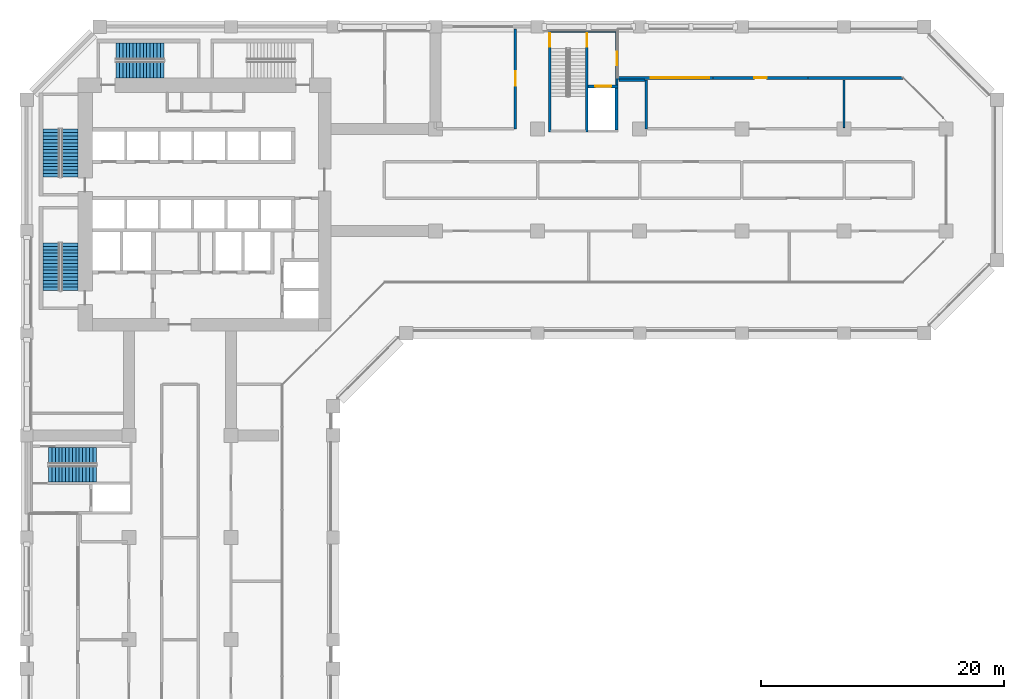
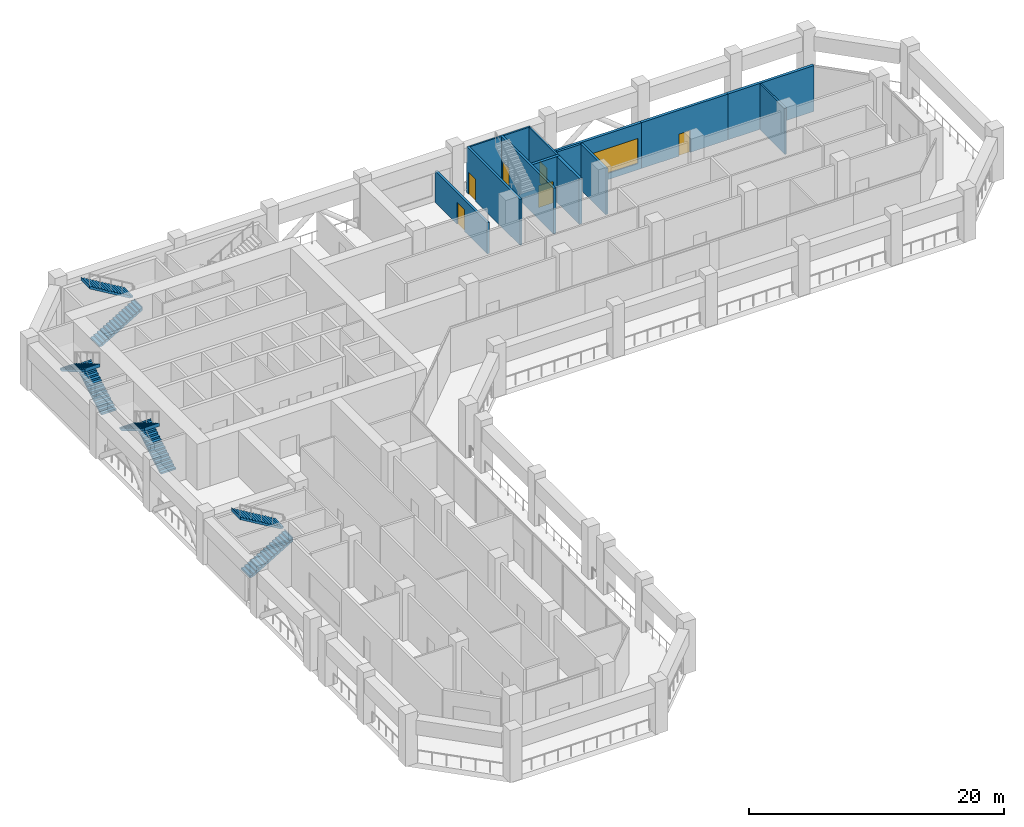
# One storey, part 10 of 19: 14 walls, 8 stair flights, 6 doors, 1 window, 7 openings, 4 elements without a shape of their own.
"""IFC4 building model written with IfcOpenShell, lengths in metres."""

from ifc_helpers import new_model, si_unit, direction, frame, frame_2d, origin, place, context, subcontext, project, spatial, polyline, rectangle, outline, extrude, material, layer, layer_set, type_object, element, fill, aggregate, save


model = new_model("IFC4")

# Units and contexts
model_context = context("Model", 3, precision=1e-05, world=origin(), true_north=direction((0.0, 1.0)))
body_context = subcontext(model_context, "Body", "Model", "MODEL_VIEW")
ifc_project = project(units=[si_unit("LENGTHUNIT", "METRE"), si_unit("AREAUNIT", "SQUARE_METRE"), si_unit("VOLUMEUNIT", "CUBIC_METRE"), si_unit("PLANEANGLEUNIT", "RADIAN"), si_unit("MASSUNIT", "GRAM", prefix="KILO")], contexts=[model_context])

# Site, building, storey
site_placement = place(None, origin())
site = spatial("IfcSite", under=ifc_project, at=site_placement, CompositionType="ELEMENT")
building_placement = place(site_placement, origin())
building = spatial("IfcBuilding", under=site, at=building_placement, Name="Kawkab Arch Medical Tower", CompositionType="ELEMENT")
storey_placement = place(building_placement, frame((0.0, 0.0, 93.800048828125)))
storey = spatial("IfcBuildingStorey", under=building, at=storey_placement, Name="L21", CompositionType="ELEMENT", Elevation=93.800048828125)

# Wall, opening, door
ifc_material_1 = material(Name="Gypsum board on steel studs", Category="steel")
ifc_layer_1 = layer(ifc_material_1, 0.14990234375)
ifc_layer_set_1 = layer_set([ifc_layer_1], Name="Gypsum board on steel studs")
wall_type_1 = type_object("IfcWallType", Name="Core room partition 150", PredefinedType="PARTITIONING", material=ifc_layer_set_1)
wall_1_placement = place(storey_placement, frame((48.52490234375, -4.77490234375, 0.0), z_axis=(0.0, 0.0, 1.0), x_axis=(0.0, 1.0, 0.0)))
wall_1 = element("IfcWall", 1, at=wall_1_placement, inside=storey, type_object=wall_type_1, Name="L21 core room partition", PredefinedType="PARTITIONING", context=body_context, shape_type="SweptSolid", body=[
    extrude(rectangle(XDim=4.324951171875, YDim=0.14990234375, at=frame_2d((2.16259765625, 0.0))), origin(), (0.0, 0.0, 1.0), 4.39990234375),
])
opening_1_placement = place(wall_1_placement, frame((1.625, 0.0, 0.0)))
opening_1 = element("IfcOpeningElement", 2, at=opening_1_placement, cuts=wall_1, Name="Opening FD", PredefinedType="OPENING", context=body_context, shape_type="SweptSolid", body=[
    extrude(rectangle(XDim=1.10009765625, YDim=2.10009765625, at=frame_2d((0.550048828125, 1.050048828125))), frame((0.0, 0.0849609375, 0.0), z_axis=(0.0, -1.0, 0.0), x_axis=(1.0, 0.0, 0.0)), (0.0, 0.0, 1.0), 0.169921875),
])
ifc_material_2 = material(Name="Hollow metal fire door leaf")
door_type_1 = type_object("IfcDoorType", Name="Firefighting lobby door 1100", OperationType="SINGLE_SWING_LEFT", PredefinedType="DOOR", material=ifc_material_2)
door_1_placement = place(opening_1_placement, origin())
door_1 = element("IfcDoor", 3, at=door_1_placement, inside=storey, type_object=door_type_1, Name="L21 Service lift lobby door SV1", OperationType="SINGLE_SWING_LEFT", OverallHeight=2.10009765625, OverallWidth=1.10009765625, PredefinedType="DOOR", context=body_context, shape_type="SweptSolid", body=[
    extrude(rectangle(XDim=1.10009765625, YDim=2.10009765625, at=frame_2d((0.550048828125, 1.050048828125))), frame((0.0, 0.02490234375, 0.0), z_axis=(0.0, -1.0, 0.0), x_axis=(1.0, 0.0, 0.0)), (0.0, 0.0, 1.0), 0.050048828125),
])
fill(opening_1, door_1)

ifc_material_3 = material(Name="Concrete C60/75", Category="concrete")
ifc_layer_2 = layer(ifc_material_3, 0.25)
ifc_layer_set_2 = layer_set([ifc_layer_2], Name="Concrete C60/75")
wall_type_2 = type_object("IfcWallType", Name="Core shear wall 250 C60/75", PredefinedType="SHEAR", material=ifc_layer_set_2)
wall_2_placement = place(storey_placement, frame((46.14990234375, -4.89990234375, 0.0), z_axis=(0.0, 0.0, 1.0), x_axis=(1.0, 0.0, 0.0)))
wall_2 = element("IfcWall", 4, at=wall_2_placement, inside=storey, type_object=wall_type_2, Name="L21 core shear wall", PredefinedType="SHEAR", context=body_context, shape_type="SweptSolid", body=[
    extrude(rectangle(XDim=2.4501953125, YDim=0.25, at=frame_2d((1.22509765625, 0.0))), origin(), (0.0, 0.0, 1.0), 4.39990234375),
])
opening_2_placement = place(wall_2_placement, frame((0.60009765625, 0.0, 0.0)))
opening_2 = element("IfcOpeningElement", 5, at=opening_2_placement, cuts=wall_2, Name="Opening LD2", PredefinedType="OPENING", context=body_context, shape_type="SweptSolid", body=[
    extrude(rectangle(XDim=1.300048828125, YDim=2.10009765625, at=frame_2d((0.64990234375, 1.050048828125))), frame((0.0, 0.135009765625, 0.0), z_axis=(0.0, -1.0, 0.0), x_axis=(1.0, 0.0, 0.0)), (0.0, 0.0, 1.0), 0.27001953125),
])
ifc_material_4 = material(Name="Stainless steel lift door leaf", Category="steel")
door_type_2 = type_object("IfcDoorType", Name="Lift landing door 1300", OperationType="DOUBLE_DOOR_SLIDING", PredefinedType="DOOR", material=ifc_material_4)
door_2_placement = place(opening_2_placement, origin())
door_2 = element("IfcDoor", 6, at=door_2_placement, inside=storey, type_object=door_type_2, Name="L21 Lift landing door SV1", OperationType="DOUBLE_DOOR_SLIDING", OverallHeight=2.10009765625, OverallWidth=1.300048828125, PredefinedType="DOOR", context=body_context, shape_type="SweptSolid", body=[
    extrude(rectangle(XDim=1.300048828125, YDim=2.10009765625, at=frame_2d((0.64990234375, 1.050048828125))), frame((0.0, 0.02490234375, 0.0), z_axis=(0.0, -1.0, 0.0), x_axis=(1.0, 0.0, 0.0)), (0.0, 0.0, 1.0), 0.050048828125),
])
fill(opening_2, door_2)

# Walls
wall_3_placement = place(storey_placement, frame((48.47509765625, -8.5, 0.0), z_axis=(0.0, 0.0, 1.0), x_axis=(0.0, 1.0, 0.0)))
element("IfcWall", 7, at=wall_3_placement, inside=storey, type_object=wall_type_2, Name="L21 core shear wall", PredefinedType="SHEAR", context=body_context, shape_type="SweptSolid", body=[
    extrude(rectangle(XDim=3.47509765625, YDim=0.25, at=frame_2d((1.737548828125, 0.0))), origin(), (0.0, 0.0, 1.0), 4.39990234375),
])
ifc_material_5 = material(Name="Bronze clad insulated wall panel")
ifc_layer_3 = layer(ifc_material_5, 0.25)
ifc_layer_set_3 = layer_set([ifc_layer_3], Name="Bronze clad insulated wall panel")
wall_type_3 = type_object("IfcWallType", Name="External wall bay 250", PredefinedType="SOLIDWALL", material=ifc_layer_set_3)
wall_4_placement = place(storey_placement, frame((72.06005859375, -4.199951171875, 0.0), z_axis=(0.0, 0.0, 1.0), x_axis=(-1.0, 0.0, 0.0)))
element("IfcWall", 8, at=wall_4_placement, inside=storey, type_object=wall_type_3, Name="Plant wall L21.R15.1", PredefinedType="SOLIDWALL", context=body_context, shape_type="SweptSolid", body=[
    extrude(rectangle(XDim=7.81982421875, YDim=0.25, at=frame_2d((3.909912109375, 0.0))), origin(), (0.0, 0.0, 1.0), 4.39990234375),
])

# Wall, opening, door
wall_5_placement = place(storey_placement, frame((64.240234375, -4.199951171875, 0.0), z_axis=(0.0, 0.0, 1.0), x_axis=(-1.0, 0.0, 0.0)))
wall_5 = element("IfcWall", 9, at=wall_5_placement, inside=storey, type_object=wall_type_3, Name="Plant wall L21.R15.2", PredefinedType="SOLIDWALL", context=body_context, shape_type="SweptSolid", body=[
    extrude(rectangle(XDim=7.819580078125, YDim=0.25, at=frame_2d((3.90966796875, 0.0))), origin(), (0.0, 0.0, 1.0), 4.39990234375),
])
opening_3_placement = place(wall_5_placement, frame((3.4091796875, 0.0, 0.0)))
opening_3 = element("IfcOpeningElement", 10, at=opening_3_placement, cuts=wall_5, Name="Opening PL1B-701", PredefinedType="OPENING", context=body_context, shape_type="SweptSolid", body=[
    extrude(rectangle(XDim=1.0, YDim=2.10009765625, at=frame_2d((0.5, 1.050048828125))), frame((0.0, 0.135009765625, 0.0), z_axis=(0.0, -1.0, 0.0), x_axis=(1.0, 0.0, 0.0)), (0.0, 0.0, 1.0), 0.27001953125),
])
ifc_material_6 = material(Name="Bronze anodised aluminium door with tinted glass", Category="aluminium")
door_type_3 = type_object("IfcDoorType", Name="Single external door 1000 x 2100", OperationType="SINGLE_SWING_LEFT", PredefinedType="DOOR", material=ifc_material_6)
door_3_placement = place(opening_3_placement, origin())
door_3 = element("IfcDoor", 11, at=door_3_placement, inside=storey, type_object=door_type_3, Name="Roof terrace door L21.R15.2", OperationType="SINGLE_SWING_LEFT", OverallHeight=2.10009765625, OverallWidth=1.0, PredefinedType="DOOR", context=body_context, shape_type="SweptSolid", body=[
    extrude(rectangle(XDim=1.0, YDim=2.10009765625, at=frame_2d((0.5, 1.050048828125))), frame((0.0, 0.02490234375, 0.0), z_axis=(0.0, -1.0, 0.0), x_axis=(1.0, 0.0, 0.0)), (0.0, 0.0, 1.0), 0.050048828125),
])
fill(opening_3, door_3)

# Wall, opening, window
wall_6_placement = place(storey_placement, frame((56.420654296875, -4.199951171875, 0.0), z_axis=(0.0, 0.0, 1.0), x_axis=(-1.0, 0.0, 0.0)))
wall_6 = element("IfcWall", 12, at=wall_6_placement, inside=storey, type_object=wall_type_3, Name="Plant wall L21.R15.3", PredefinedType="SOLIDWALL", context=body_context, shape_type="SweptSolid", body=[
    extrude(rectangle(XDim=7.819580078125, YDim=0.25, at=frame_2d((3.90966796875, 0.0))), origin(), (0.0, 0.0, 1.0), 4.39990234375),
])
opening_4_placement = place(wall_6_placement, frame((0.309814453125, 0.0, 0.60009765625)))
opening_4 = element("IfcOpeningElement", 13, at=opening_4_placement, cuts=wall_6, Name="Opening PW480-24-S6", PredefinedType="OPENING", context=body_context, shape_type="SweptSolid", body=[
    extrude(rectangle(XDim=4.800048828125, YDim=2.39990234375, at=frame_2d((2.39990234375, 1.199951171875))), frame((0.0, 0.135009765625, 0.0), z_axis=(0.0, -1.0, 0.0), x_axis=(1.0, 0.0, 0.0)), (0.0, 0.0, 1.0), 0.27001953125),
])
ifc_material_7 = material(Name="Bronze anodised aluminium louvred window", Category="aluminium")
window_type = type_object("IfcWindowType", Name="Plant louvre window 4800 x 2400 sill 600", PartitioningType="DOUBLE_PANEL_VERTICAL", PredefinedType="WINDOW", material=ifc_material_7)
window_placement = place(opening_4_placement, origin())
window = element("IfcWindow", 14, at=window_placement, inside=storey, type_object=window_type, Name="Plant louvre window L21.R15.3", OverallHeight=2.39990234375, OverallWidth=4.800048828125, PartitioningType="SINGLE_PANEL", PredefinedType="WINDOW", context=body_context, shape_type="SweptSolid", body=[
    extrude(rectangle(XDim=4.800048828125, YDim=2.39990234375, at=frame_2d((2.39990234375, 1.199951171875))), frame((0.0, 0.030029296875, 0.0), z_axis=(0.0, -1.0, 0.0), x_axis=(1.0, 0.0, 0.0)), (0.0, 0.0, 1.0), 0.06005859375),
])
fill(opening_4, window)

# Walls
ifc_material_8 = material(Name="Gypsum board partition on steel studs, mineral wool", Category="steel")
ifc_layer_4 = layer(ifc_material_8, 0.14990234375)
ifc_layer_set_4 = layer_set([ifc_layer_4], Name="Gypsum board partition on steel studs, mineral wool")
wall_type_4 = type_object("IfcWallType", Name="Partition 150", PredefinedType="PARTITIONING", material=ifc_layer_set_4)
wall_7_placement = place(storey_placement, frame((67.199951171875, -8.300048828125, 0.0), z_axis=(0.0, 0.0, 1.0), x_axis=(0.0, 1.0, 0.0)))
element("IfcWall", 15, at=wall_7_placement, inside=storey, type_object=wall_type_4, Name="Partition 150 w017", PredefinedType="PARTITIONING", context=body_context, shape_type="SweptSolid", body=[
    extrude(rectangle(XDim=3.900146484375, YDim=0.14990234375, at=frame_2d((1.9501953125, 0.0))), origin(), (0.0, 0.0, 1.0), 4.39990234375),
])
ifc_material_9 = material(Name="Fire-rated gypsum board partition on steel studs", Category="steel")
ifc_layer_5 = layer(ifc_material_9, 0.199951171875)
ifc_layer_set_5 = layer_set([ifc_layer_5], Name="Fire-rated gypsum board partition on steel studs")
wall_type_5 = type_object("IfcWallType", Name="Protected partition 200", PredefinedType="PARTITIONING", material=ifc_layer_set_5)
wall_8_placement = place(storey_placement, frame((48.679931640625, -4.39990234375, 0.0), z_axis=(0.0, 0.0, 1.0), x_axis=(1.0, 0.0, 0.0)))
element("IfcWall", 16, at=wall_8_placement, inside=storey, type_object=wall_type_5, Name="Protected partition 200 w032", PredefinedType="PARTITIONING", context=body_context, shape_type="SweptSolid", body=[
    extrude(rectangle(XDim=2.14306640625, YDim=0.199951171875, at=frame_2d((1.071533203125, 0.0))), origin(), (0.0, 0.0, 1.0), 4.39990234375),
])

# Wall, opening, door
wall_9_placement = place(storey_placement, frame((40.181884765625, -8.39599609375, 0.0), z_axis=(0.0, 0.0, 1.0), x_axis=(0.0, 1.0, 0.0)))
wall_9 = element("IfcWall", 17, at=wall_9_placement, inside=storey, type_object=wall_type_5, Name="Protected partition 200 w040", PredefinedType="PARTITIONING", context=body_context, shape_type="SweptSolid", body=[
    extrude(rectangle(XDim=8.196044921875, YDim=0.199951171875, at=frame_2d((4.09814453125, 0.0))), origin(), (0.0, 0.0, 1.0), 3.0),
])
opening_5_placement = place(wall_9_placement, frame((3.547119140625, 0.0, 0.0)))
opening_5 = element("IfcOpeningElement", 18, at=opening_5_placement, cuts=wall_9, Name="Opening PL1B-021", PredefinedType="OPENING", context=body_context, shape_type="SweptSolid", body=[
    extrude(rectangle(XDim=1.199951171875, YDim=2.10009765625, at=frame_2d((0.60009765625, 1.050048828125))), frame((0.0, 0.10986328125, 0.0), z_axis=(0.0, -1.0, 0.0), x_axis=(1.0, 0.0, 0.0)), (0.0, 0.0, 1.0), 0.219970703125),
])
ifc_material_10 = material(Name="Hollow metal door leaf")
door_type_4 = type_object("IfcDoorType", Name="Single door 1200x2100 FD90", OperationType="NOTDEFINED", PredefinedType="DOOR", material=ifc_material_10)
door_4_placement = place(opening_5_placement, origin())
door_4 = element("IfcDoor", 19, at=door_4_placement, inside=storey, type_object=door_type_4, Name="Door PL1B-021", OperationType="SINGLE_SWING_LEFT", OverallHeight=2.10009765625, OverallWidth=1.199951171875, PredefinedType="DOOR", context=body_context, shape_type="SweptSolid", body=[
    extrude(rectangle(XDim=1.199951171875, YDim=2.10009765625, at=frame_2d((0.60009765625, 1.050048828125))), frame((0.0, 0.02490234375, 0.0), z_axis=(0.0, -1.0, 0.0), x_axis=(1.0, 0.0, 0.0)), (0.0, 0.0, 1.0), 0.050048828125),
])
fill(opening_5, door_4)

# Walls
wall_10_placement = place(storey_placement, frame((50.925048828125, -8.39697265625, 0.0), z_axis=(0.0, 0.0, 1.0), x_axis=(0.0, 1.0, 0.0)))
element("IfcWall", 20, at=wall_10_placement, inside=storey, type_object=wall_type_5, Name="Protected partition 200 w043", PredefinedType="PARTITIONING", context=body_context, shape_type="SweptSolid", body=[
    extrude(rectangle(XDim=3.99609375, YDim=0.199951171875, at=frame_2d((1.998046875, 0.0))), origin(), (0.0, 0.0, 1.0), 4.39990234375),
])
ifc_material_11 = material(Name="Concrete C50/60", Category="concrete")
ifc_layer_6 = layer(ifc_material_11, 0.14990234375)
ifc_layer_set_6 = layer_set([ifc_layer_6], Name="Concrete C50/60")
wall_type_6 = type_object("IfcWallType", Name="Stair enclosure wall 150 C50/60", PredefinedType="SHEAR", material=ifc_layer_set_6)
wall_11_placement = place(storey_placement, frame((43.10009765625, -0.375, 0.0), z_axis=(0.0, 0.0, 1.0), x_axis=(1.0, 0.0, 0.0)))
element("IfcWall", 21, at=wall_11_placement, inside=storey, type_object=wall_type_6, Name="L21 stair enclosure wall", PredefinedType="SHEAR", context=body_context, shape_type="SweptSolid", body=[
    extrude(rectangle(XDim=2.849853515625, YDim=0.14990234375, at=frame_2d((1.4248046875, 0.0))), origin(), (0.0, 0.0, 1.0), 4.39990234375),
])
wall_12_placement = place(storey_placement, frame((46.14990234375, -0.375, 0.0), z_axis=(0.0, 0.0, 1.0), x_axis=(1.0, 0.0, 0.0)))
element("IfcWall", 22, at=wall_12_placement, inside=storey, type_object=wall_type_6, Name="L21 stair enclosure wall", PredefinedType="SHEAR", context=body_context, shape_type="SweptSolid", body=[
    extrude(rectangle(XDim=2.4501953125, YDim=0.14990234375, at=frame_2d((1.22509765625, 0.0))), origin(), (0.0, 0.0, 1.0), 4.39990234375),
])

# Wall, opening, door
ifc_material_12 = material(Name="Concrete C50/60", Category="concrete")
ifc_layer_7 = layer(ifc_material_12, 0.199951171875)
ifc_layer_set_7 = layer_set([ifc_layer_7], Name="Concrete C50/60")
wall_type_7 = type_object("IfcWallType", Name="Stair enclosure wall 200 C50/60", PredefinedType="SHEAR", material=ifc_layer_set_7)
wall_13_placement = place(storey_placement, frame((43.0, -8.64990234375, 0.0), z_axis=(0.0, 0.0, 1.0), x_axis=(0.0, 1.0, 0.0)))
wall_13 = element("IfcWall", 23, at=wall_13_placement, inside=storey, type_object=wall_type_7, Name="L21 stair enclosure wall", PredefinedType="SHEAR", context=body_context, shape_type="SweptSolid", body=[
    extrude(rectangle(XDim=8.349853515625, YDim=0.199951171875, at=frame_2d((4.1748046875, 0.0))), origin(), (0.0, 0.0, 1.0), 4.39990234375),
])
opening_6_placement = place(wall_13_placement, frame((7.0, 0.0, 0.0)))
opening_6 = element("IfcOpeningElement", 24, at=opening_6_placement, cuts=wall_13, Name="Opening SD", PredefinedType="OPENING", context=body_context, shape_type="SweptSolid", body=[
    extrude(rectangle(XDim=1.10009765625, YDim=2.10009765625, at=frame_2d((0.550048828125, 1.050048828125))), frame((0.0, 0.10986328125, 0.0), z_axis=(0.0, -1.0, 0.0), x_axis=(1.0, 0.0, 0.0)), (0.0, 0.0, 1.0), 0.219970703125),
])
ifc_material_13 = material(Name="Hollow metal fire door leaf")
door_type_5 = type_object("IfcDoorType", Name="Exit stair door 1100", OperationType="SINGLE_SWING_LEFT", PredefinedType="DOOR", material=ifc_material_13)
door_5_placement = place(opening_6_placement, frame((1.10009765625, 0.0, 0.0), z_axis=(0.0, 0.0, 1.0), x_axis=(-1.0, 0.0, 0.0)))
door_5 = element("IfcDoor", 25, at=door_5_placement, inside=storey, type_object=door_type_5, Name="L21 Exit stair ST5 door", OperationType="SINGLE_SWING_LEFT", OverallHeight=2.10009765625, OverallWidth=1.10009765625, PredefinedType="DOOR", context=body_context, shape_type="SweptSolid", body=[
    extrude(rectangle(XDim=1.10009765625, YDim=2.10009765625, at=frame_2d((0.550048828125, 1.050048828125))), frame((0.0, 0.02490234375, 0.0), z_axis=(0.0, -1.0, 0.0), x_axis=(1.0, 0.0, 0.0)), (0.0, 0.0, 1.0), 0.050048828125),
])
fill(opening_6, door_5)

wall_14_placement = place(storey_placement, frame((46.050048828125, -8.64990234375, 0.0), z_axis=(0.0, 0.0, 1.0), x_axis=(0.0, 1.0, 0.0)))
wall_14 = element("IfcWall", 26, at=wall_14_placement, inside=storey, type_object=wall_type_7, Name="L21 stair enclosure wall", PredefinedType="SHEAR", context=body_context, shape_type="SweptSolid", body=[
    extrude(rectangle(XDim=8.349853515625, YDim=0.199951171875, at=frame_2d((4.1748046875, 0.0))), origin(), (0.0, 0.0, 1.0), 4.39990234375),
])
opening_7_placement = place(wall_14_placement, frame((7.0, 0.0, 0.0)))
opening_7 = element("IfcOpeningElement", 27, at=opening_7_placement, cuts=wall_14, Name="Opening SD", PredefinedType="OPENING", context=body_context, shape_type="SweptSolid", body=[
    extrude(rectangle(XDim=1.10009765625, YDim=2.10009765625, at=frame_2d((0.550048828125, 1.050048828125))), frame((0.0, 0.10986328125, 0.0), z_axis=(0.0, -1.0, 0.0), x_axis=(1.0, 0.0, 0.0)), (0.0, 0.0, 1.0), 0.219970703125),
])
door_6_placement = place(opening_7_placement, origin())
door_6 = element("IfcDoor", 28, at=door_6_placement, inside=storey, type_object=door_type_5, Name="L21 Exit stair ST5 lobby door", OperationType="SINGLE_SWING_LEFT", OverallHeight=2.10009765625, OverallWidth=1.10009765625, PredefinedType="DOOR", context=body_context, shape_type="SweptSolid", body=[
    extrude(rectangle(XDim=1.10009765625, YDim=2.10009765625, at=frame_2d((0.550048828125, 1.050048828125))), frame((0.0, 0.02490234375, 0.0), z_axis=(0.0, -1.0, 0.0), x_axis=(1.0, 0.0, 0.0)), (0.0, 0.0, 1.0), 0.050048828125),
])
fill(opening_7, door_6)

# Stair, stair flights
ifc_material_14 = material(Name="Concrete C40/50", Category="concrete")
stair_type = type_object("IfcStairType", Name="Exit stair 1350", PredefinedType="HALF_TURN_STAIR", material=ifc_material_14)
placement = place(storey_placement, origin())
stair_1 = element("IfcStair", 29, at=placement, inside=storey, type_object=stair_type, Name="L21 Exit stair ST1", PredefinedType="HALF_TURN_STAIR")
ifc_material_15 = material(Name="Concrete C40/50", Category="concrete")
stair_flight_type = type_object("IfcStairFlightType", Name="Exit stair flight 1350", PredefinedType="STRAIGHT", material=ifc_material_15)
stair_flight_1_placement = place(storey_placement, frame((3.52490234375, -12.35009765625, 0.0), z_axis=(0.0, 0.0, 1.0), x_axis=(0.0, 1.0, 0.0)))
stair_flight_1 = element("IfcStairFlight", 30, at=stair_flight_1_placement, type_object=stair_flight_type, Name="ST1 flight 1", NumberOfRisers=15, NumberOfTreads=14, PredefinedType="STRAIGHT", RiserHeight=0.166666667, TreadLength=0.28, context=body_context, shape_type="SweptSolid", body=[
    extrude(outline(polyline([(-0.0029296875, 0.0), (-0.0029296875, 0.166748046875), (0.0, 0.166748046875), (0.280029296875, 0.166748046875), (0.280029296875, 0.333251953125), (0.56005859375, 0.333251953125), (0.56005859375, 0.5), (0.840087890625, 0.5), (0.840087890625, 0.666748046875), (1.1201171875, 0.666748046875), (1.1201171875, 0.833251953125), (1.39990234375, 0.833251953125), (1.39990234375, 1.0), (1.679931640625, 1.0), (1.679931640625, 1.166748046875), (1.9599609375, 1.166748046875), (1.9599609375, 1.333251953125), (2.239990234375, 1.333251953125), (2.239990234375, 1.5), (2.52001953125, 1.5), (2.52001953125, 1.666748046875), (2.800048828125, 1.666748046875), (2.800048828125, 1.833251953125), (3.080078125, 1.833251953125), (3.080078125, 2.0), (3.360107421875, 2.0), (3.360107421875, 2.166748046875), (3.639892578125, 2.166748046875), (3.639892578125, 2.333251953125), (3.919921875, 2.333251953125), (3.919921875, 2.5), (3.923095703125, 2.5), (3.923095703125, 2.158935546875), (3.919921875, 2.158935546875), (0.29296875, 0.0), (-0.0029296875, 0.0)])), frame((0.0, 0.675048828125, 0.0), z_axis=(0.0, -1.0, 0.0), x_axis=(1.0, 0.0, 0.0)), (0.0, 0.0, 1.0), 1.35009765625),
])
stair_flight_2_placement = place(storey_placement, frame((2.02490234375, -8.429931640625, 2.5), z_axis=(0.0, 0.0, 1.0), x_axis=(0.0, -1.0, 0.0)))
stair_flight_2 = element("IfcStairFlight", 31, at=stair_flight_2_placement, type_object=stair_flight_type, Name="ST1 flight 2", NumberOfRisers=15, NumberOfTreads=14, PredefinedType="STRAIGHT", RiserHeight=0.166666667, TreadLength=0.28, context=body_context, shape_type="SweptSolid", body=[
    extrude(outline(polyline([(-0.0029296875, 0.0), (-0.0029296875, 0.166748046875), (0.0, 0.166748046875), (0.280029296875, 0.166748046875), (0.280029296875, 0.333251953125), (0.56005859375, 0.333251953125), (0.56005859375, 0.5), (0.840087890625, 0.5), (0.840087890625, 0.666748046875), (1.1201171875, 0.666748046875), (1.1201171875, 0.833251953125), (1.39990234375, 0.833251953125), (1.39990234375, 1.0), (1.679931640625, 1.0), (1.679931640625, 1.166748046875), (1.9599609375, 1.166748046875), (1.9599609375, 1.333251953125), (2.239990234375, 1.333251953125), (2.239990234375, 1.5), (2.52001953125, 1.5), (2.52001953125, 1.666748046875), (2.800048828125, 1.666748046875), (2.800048828125, 1.833251953125), (3.080078125, 1.833251953125), (3.080078125, 2.0), (3.360107421875, 2.0), (3.360107421875, 2.166748046875), (3.639892578125, 2.166748046875), (3.639892578125, 2.333251953125), (3.919921875, 2.333251953125), (3.919921875, 2.5), (3.923095703125, 2.5), (3.923095703125, 2.158935546875), (3.919921875, 2.158935546875), (0.29296875, 0.0), (-0.0029296875, 0.0)])), frame((0.0, 0.675048828125, 0.0), z_axis=(0.0, -1.0, 0.0), x_axis=(1.0, 0.0, 0.0)), (0.0, 0.0, 1.0), 1.35009765625),
])
aggregate(stair_1, [stair_flight_1, stair_flight_2])

stair_2 = element("IfcStair", 32, at=placement, inside=storey, type_object=stair_type, Name="L21 Exit stair ST2", PredefinedType="HALF_TURN_STAIR")
stair_flight_3_placement = place(storey_placement, frame((3.52490234375, -21.699951171875, 0.0), z_axis=(0.0, 0.0, 1.0), x_axis=(0.0, 1.0, 0.0)))
stair_flight_3 = element("IfcStairFlight", 33, at=stair_flight_3_placement, type_object=stair_flight_type, Name="ST2 flight 1", NumberOfRisers=15, NumberOfTreads=14, PredefinedType="STRAIGHT", RiserHeight=0.166666667, TreadLength=0.28, context=body_context, shape_type="SweptSolid", body=[
    extrude(outline(polyline([(-0.0029296875, 0.0), (-0.0029296875, 0.166748046875), (0.0, 0.166748046875), (0.280029296875, 0.166748046875), (0.280029296875, 0.333251953125), (0.56005859375, 0.333251953125), (0.56005859375, 0.5), (0.840087890625, 0.5), (0.840087890625, 0.666748046875), (1.1201171875, 0.666748046875), (1.1201171875, 0.833251953125), (1.39990234375, 0.833251953125), (1.39990234375, 1.0), (1.679931640625, 1.0), (1.679931640625, 1.166748046875), (1.9599609375, 1.166748046875), (1.9599609375, 1.333251953125), (2.239990234375, 1.333251953125), (2.239990234375, 1.5), (2.52001953125, 1.5), (2.52001953125, 1.666748046875), (2.800048828125, 1.666748046875), (2.800048828125, 1.833251953125), (3.080078125, 1.833251953125), (3.080078125, 2.0), (3.360107421875, 2.0), (3.360107421875, 2.166748046875), (3.639892578125, 2.166748046875), (3.639892578125, 2.333251953125), (3.919921875, 2.333251953125), (3.919921875, 2.5), (3.923095703125, 2.5), (3.923095703125, 2.158935546875), (3.919921875, 2.158935546875), (0.29296875, 0.0), (-0.0029296875, 0.0)])), frame((0.0, 0.675048828125, 0.0), z_axis=(0.0, -1.0, 0.0), x_axis=(1.0, 0.0, 0.0)), (0.0, 0.0, 1.0), 1.35009765625),
])
stair_flight_4_placement = place(storey_placement, frame((2.02490234375, -17.780029296875, 2.5), z_axis=(0.0, 0.0, 1.0), x_axis=(0.0, -1.0, 0.0)))
stair_flight_4 = element("IfcStairFlight", 34, at=stair_flight_4_placement, type_object=stair_flight_type, Name="ST2 flight 2", NumberOfRisers=15, NumberOfTreads=14, PredefinedType="STRAIGHT", RiserHeight=0.166666667, TreadLength=0.28, context=body_context, shape_type="SweptSolid", body=[
    extrude(outline(polyline([(-0.0029296875, 0.0), (-0.0029296875, 0.166748046875), (0.0, 0.166748046875), (0.280029296875, 0.166748046875), (0.280029296875, 0.333251953125), (0.56005859375, 0.333251953125), (0.56005859375, 0.5), (0.840087890625, 0.5), (0.840087890625, 0.666748046875), (1.1201171875, 0.666748046875), (1.1201171875, 0.833251953125), (1.39990234375, 0.833251953125), (1.39990234375, 1.0), (1.679931640625, 1.0), (1.679931640625, 1.166748046875), (1.9599609375, 1.166748046875), (1.9599609375, 1.333251953125), (2.239990234375, 1.333251953125), (2.239990234375, 1.5), (2.52001953125, 1.5), (2.52001953125, 1.666748046875), (2.800048828125, 1.666748046875), (2.800048828125, 1.833251953125), (3.080078125, 1.833251953125), (3.080078125, 2.0), (3.360107421875, 2.0), (3.360107421875, 2.166748046875), (3.639892578125, 2.166748046875), (3.639892578125, 2.333251953125), (3.919921875, 2.333251953125), (3.919921875, 2.5), (3.923095703125, 2.5), (3.923095703125, 2.158935546875), (3.919921875, 2.158935546875), (0.29296875, 0.0), (-0.0029296875, 0.0)])), frame((0.0, 0.675048828125, 0.0), z_axis=(0.0, -1.0, 0.0), x_axis=(1.0, 0.0, 0.0)), (0.0, 0.0, 1.0), 1.35009765625),
])
aggregate(stair_2, [stair_flight_3, stair_flight_4])

stair_3 = element("IfcStair", 35, at=placement, inside=storey, type_object=stair_type, Name="L21 Exit stair ST3", PredefinedType="HALF_TURN_STAIR")
stair_flight_5_placement = place(storey_placement, frame((7.35009765625, -3.52490234375, 0.0), z_axis=(0.0, 0.0, 1.0), x_axis=(1.0, 0.0, 0.0)))
stair_flight_5 = element("IfcStairFlight", 36, at=stair_flight_5_placement, type_object=stair_flight_type, Name="ST3 flight 1", NumberOfRisers=15, NumberOfTreads=14, PredefinedType="STRAIGHT", RiserHeight=0.166666667, TreadLength=0.28, context=body_context, shape_type="SweptSolid", body=[
    extrude(outline(polyline([(-0.0029296875, 0.0), (-0.0029296875, 0.166748046875), (0.0, 0.166748046875), (0.280029296875, 0.166748046875), (0.280029296875, 0.333251953125), (0.56005859375, 0.333251953125), (0.56005859375, 0.5), (0.840087890625, 0.5), (0.840087890625, 0.666748046875), (1.1201171875, 0.666748046875), (1.1201171875, 0.833251953125), (1.39990234375, 0.833251953125), (1.39990234375, 1.0), (1.679931640625, 1.0), (1.679931640625, 1.166748046875), (1.9599609375, 1.166748046875), (1.9599609375, 1.333251953125), (2.239990234375, 1.333251953125), (2.239990234375, 1.5), (2.52001953125, 1.5), (2.52001953125, 1.666748046875), (2.800048828125, 1.666748046875), (2.800048828125, 1.833251953125), (3.080078125, 1.833251953125), (3.080078125, 2.0), (3.360107421875, 2.0), (3.360107421875, 2.166748046875), (3.639892578125, 2.166748046875), (3.639892578125, 2.333251953125), (3.919921875, 2.333251953125), (3.919921875, 2.5), (3.923095703125, 2.5), (3.923095703125, 2.158935546875), (3.919921875, 2.158935546875), (0.29296875, 0.0), (-0.0029296875, 0.0)])), frame((0.0, 0.675048828125, 0.0), z_axis=(0.0, -1.0, 0.0), x_axis=(1.0, 0.0, 0.0)), (0.0, 0.0, 1.0), 1.35009765625),
])
stair_flight_6_placement = place(storey_placement, frame((11.27001953125, -2.02490234375, 2.5), z_axis=(0.0, 0.0, 1.0), x_axis=(-1.0, 0.0, 0.0)))
stair_flight_6 = element("IfcStairFlight", 37, at=stair_flight_6_placement, type_object=stair_flight_type, Name="ST3 flight 2", NumberOfRisers=15, NumberOfTreads=14, PredefinedType="STRAIGHT", RiserHeight=0.166666667, TreadLength=0.28, context=body_context, shape_type="SweptSolid", body=[
    extrude(outline(polyline([(-0.0029296875, 0.0), (-0.0029296875, 0.166748046875), (0.0, 0.166748046875), (0.280029296875, 0.166748046875), (0.280029296875, 0.333251953125), (0.56005859375, 0.333251953125), (0.56005859375, 0.5), (0.840087890625, 0.5), (0.840087890625, 0.666748046875), (1.1201171875, 0.666748046875), (1.1201171875, 0.833251953125), (1.39990234375, 0.833251953125), (1.39990234375, 1.0), (1.679931640625, 1.0), (1.679931640625, 1.166748046875), (1.9599609375, 1.166748046875), (1.9599609375, 1.333251953125), (2.239990234375, 1.333251953125), (2.239990234375, 1.5), (2.52001953125, 1.5), (2.52001953125, 1.666748046875), (2.800048828125, 1.666748046875), (2.800048828125, 1.833251953125), (3.080078125, 1.833251953125), (3.080078125, 2.0), (3.360107421875, 2.0), (3.360107421875, 2.166748046875), (3.639892578125, 2.166748046875), (3.639892578125, 2.333251953125), (3.919921875, 2.333251953125), (3.919921875, 2.5), (3.923095703125, 2.5), (3.923095703125, 2.158935546875), (3.919921875, 2.158935546875), (0.29296875, 0.0), (-0.0029296875, 0.0)])), frame((0.0, 0.675048828125, 0.0), z_axis=(0.0, -1.0, 0.0), x_axis=(1.0, 0.0, 0.0)), (0.0, 0.0, 1.0), 1.35009765625),
])
aggregate(stair_3, [stair_flight_5, stair_flight_6])

stair_4 = element("IfcStair", 38, at=placement, inside=storey, type_object=stair_type, Name="L21 Exit stair ST6", PredefinedType="HALF_TURN_STAIR")
stair_flight_7_placement = place(storey_placement, frame((1.800048828125, -36.77490234375, 0.0), z_axis=(0.0, 0.0, 1.0), x_axis=(1.0, 0.0, 0.0)))
stair_flight_7 = element("IfcStairFlight", 39, at=stair_flight_7_placement, type_object=stair_flight_type, Name="ST6 flight 1", NumberOfRisers=15, NumberOfTreads=14, PredefinedType="STRAIGHT", RiserHeight=0.166666667, TreadLength=0.28, context=body_context, shape_type="SweptSolid", body=[
    extrude(outline(polyline([(-0.0029296875, 0.0), (-0.0029296875, 0.166748046875), (0.0, 0.166748046875), (0.280029296875, 0.166748046875), (0.280029296875, 0.333251953125), (0.56005859375, 0.333251953125), (0.56005859375, 0.5), (0.840087890625, 0.5), (0.840087890625, 0.666748046875), (1.1201171875, 0.666748046875), (1.1201171875, 0.833251953125), (1.39990234375, 0.833251953125), (1.39990234375, 1.0), (1.679931640625, 1.0), (1.679931640625, 1.166748046875), (1.9599609375, 1.166748046875), (1.9599609375, 1.333251953125), (2.239990234375, 1.333251953125), (2.239990234375, 1.5), (2.52001953125, 1.5), (2.52001953125, 1.666748046875), (2.800048828125, 1.666748046875), (2.800048828125, 1.833251953125), (3.080078125, 1.833251953125), (3.080078125, 2.0), (3.360107421875, 2.0), (3.360107421875, 2.166748046875), (3.639892578125, 2.166748046875), (3.639892578125, 2.333251953125), (3.919921875, 2.333251953125), (3.919921875, 2.5), (3.923095703125, 2.5), (3.923095703125, 2.158935546875), (3.919921875, 2.158935546875), (0.29296875, 0.0), (-0.0029296875, 0.0)])), frame((0.0, 0.675048828125, 0.0), z_axis=(0.0, -1.0, 0.0), x_axis=(1.0, 0.0, 0.0)), (0.0, 0.0, 1.0), 1.35009765625),
])
stair_flight_8_placement = place(storey_placement, frame((5.719970703125, -35.27490234375, 2.5), z_axis=(0.0, 0.0, 1.0), x_axis=(-1.0, 0.0, 0.0)))
stair_flight_8 = element("IfcStairFlight", 40, at=stair_flight_8_placement, type_object=stair_flight_type, Name="ST6 flight 2", NumberOfRisers=15, NumberOfTreads=14, PredefinedType="STRAIGHT", RiserHeight=0.166666667, TreadLength=0.28, context=body_context, shape_type="SweptSolid", body=[
    extrude(outline(polyline([(-0.0029296875, 0.0), (-0.0029296875, 0.166748046875), (0.0, 0.166748046875), (0.280029296875, 0.166748046875), (0.280029296875, 0.333251953125), (0.56005859375, 0.333251953125), (0.56005859375, 0.5), (0.840087890625, 0.5), (0.840087890625, 0.666748046875), (1.1201171875, 0.666748046875), (1.1201171875, 0.833251953125), (1.39990234375, 0.833251953125), (1.39990234375, 1.0), (1.679931640625, 1.0), (1.679931640625, 1.166748046875), (1.9599609375, 1.166748046875), (1.9599609375, 1.333251953125), (2.239990234375, 1.333251953125), (2.239990234375, 1.5), (2.52001953125, 1.5), (2.52001953125, 1.666748046875), (2.800048828125, 1.666748046875), (2.800048828125, 1.833251953125), (3.080078125, 1.833251953125), (3.080078125, 2.0), (3.360107421875, 2.0), (3.360107421875, 2.166748046875), (3.639892578125, 2.166748046875), (3.639892578125, 2.333251953125), (3.919921875, 2.333251953125), (3.919921875, 2.5), (3.923095703125, 2.5), (3.923095703125, 2.158935546875), (3.919921875, 2.158935546875), (0.29296875, 0.0), (-0.0029296875, 0.0)])), frame((0.0, 0.675048828125, 0.0), z_axis=(0.0, -1.0, 0.0), x_axis=(1.0, 0.0, 0.0)), (0.0, 0.0, 1.0), 1.35009765625),
])
aggregate(stair_4, [stair_flight_7, stair_flight_8])

save(model, "model.ifc")
